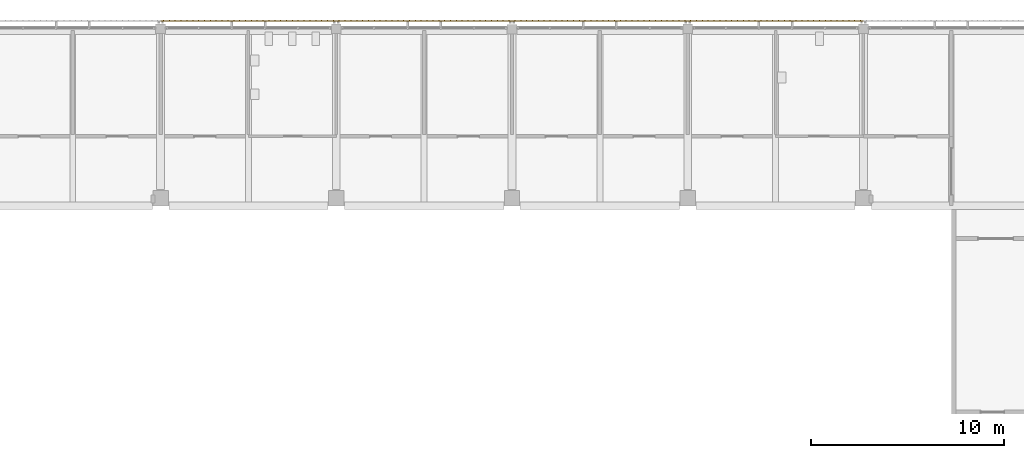
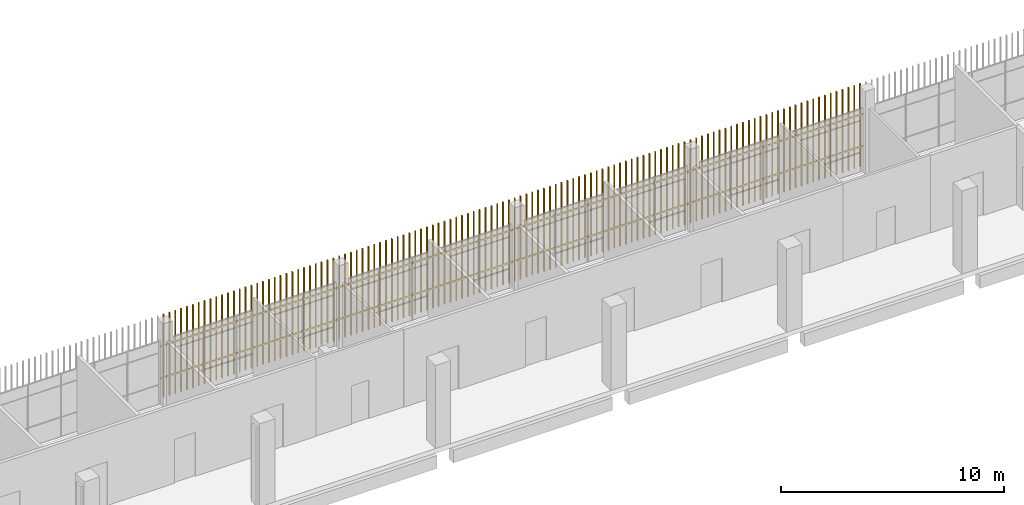
# One storey, part 114 of 124: 4 shading devices.
"""IFC4 building model written with IfcOpenShell, lengths in metres."""

from ifc_helpers import new_model, si_unit, direction, frame, origin, origin_2d, place, context, subcontext, project, spatial, rectangle, extrude, material, type_object, element, save


model = new_model("IFC4")

# Units and contexts
model_context = context("Model", 3, precision=1e-05, world=origin(), true_north=direction((0.0, 1.0)))
body_context = subcontext(model_context, "Body", "Model", "MODEL_VIEW")
ifc_project = project(units=[si_unit("LENGTHUNIT", "METRE"), si_unit("AREAUNIT", "SQUARE_METRE"), si_unit("VOLUMEUNIT", "CUBIC_METRE"), si_unit("PLANEANGLEUNIT", "RADIAN"), si_unit("MASSUNIT", "GRAM", prefix="KILO")], contexts=[model_context])

# Site, building, storey
site_placement = place(None, origin())
site = spatial("IfcSite", under=ifc_project, at=site_placement, CompositionType="ELEMENT")
building_placement = place(site_placement, origin())
building = spatial("IfcBuilding", under=site, at=building_placement, Name="Shirokan Park Arena", CompositionType="ELEMENT")
storey_placement = place(building_placement, frame((0.0, 0.0, 20.02001953125)))
storey = spatial("IfcBuildingStorey", under=building, at=storey_placement, Name="L04", CompositionType="ELEMENT", Elevation=20.02001953125)

# Shading devices
ifc_material = material(Name="Timber louvre veil (cedar)", Category="wood")
shading_device_type = type_object("IfcShadingDeviceType", Name="Timber louvre veil panel", PredefinedType="JALOUSIE", material=ifc_material)
shading_device_1_placement = place(storey_placement, origin())
element("IfcShadingDevice", 1, at=shading_device_1_placement, inside=storey, type_object=shading_device_type, Name="Timber louvre veil north bay 6 L04", PredefinedType="JALOUSIE", context=body_context, shape_type="SweptSolid", body=[
    extrude(rectangle(XDim=0.050048828125, YDim=0.080078125, at=origin_2d()), frame((99.9482421875, 109.68505859375, 0.0), z_axis=(0.0, 0.0, 1.0), x_axis=(-1.0, 0.0, 0.0)), (0.0, 0.0, 1.0), 4.550048828125),
    extrude(rectangle(XDim=0.050048828125, YDim=0.080078125, at=origin_2d()), frame((99.64501953125, 109.68505859375, 0.0), z_axis=(0.0, 0.0, 1.0), x_axis=(-1.0, 0.0, 0.0)), (0.0, 0.0, 1.0), 4.550048828125),
    extrude(rectangle(XDim=0.050048828125, YDim=0.080078125, at=origin_2d()), frame((99.341552734375, 109.68505859375, 0.0), z_axis=(0.0, 0.0, 1.0), x_axis=(-1.0, 0.0, 0.0)), (0.0, 0.0, 1.0), 4.550048828125),
    extrude(rectangle(XDim=0.050048828125, YDim=0.080078125, at=origin_2d()), frame((99.038330078125, 109.68505859375, 0.0), z_axis=(0.0, 0.0, 1.0), x_axis=(-1.0, 0.0, 0.0)), (0.0, 0.0, 1.0), 4.550048828125),
    extrude(rectangle(XDim=0.050048828125, YDim=0.080078125, at=origin_2d()), frame((98.735107421875, 109.68505859375, 0.0), z_axis=(0.0, 0.0, 1.0), x_axis=(-1.0, 0.0, 0.0)), (0.0, 0.0, 1.0), 4.550048828125),
    extrude(rectangle(XDim=0.050048828125, YDim=0.080078125, at=origin_2d()), frame((98.431640625, 109.68505859375, 0.0), z_axis=(0.0, 0.0, 1.0), x_axis=(-1.0, 0.0, 0.0)), (0.0, 0.0, 1.0), 4.550048828125),
    extrude(rectangle(XDim=0.050048828125, YDim=0.080078125, at=origin_2d()), frame((98.12841796875, 109.68505859375, 0.0), z_axis=(0.0, 0.0, 1.0), x_axis=(-1.0, 0.0, 0.0)), (0.0, 0.0, 1.0), 4.550048828125),
    extrude(rectangle(XDim=0.050048828125, YDim=0.080078125, at=origin_2d()), frame((97.824951171875, 109.68505859375, 0.0), z_axis=(0.0, 0.0, 1.0), x_axis=(-1.0, 0.0, 0.0)), (0.0, 0.0, 1.0), 4.550048828125),
    extrude(rectangle(XDim=0.050048828125, YDim=0.080078125, at=origin_2d()), frame((97.521728515625, 109.68505859375, 0.0), z_axis=(0.0, 0.0, 1.0), x_axis=(-1.0, 0.0, 0.0)), (0.0, 0.0, 1.0), 4.550048828125),
    extrude(rectangle(XDim=0.050048828125, YDim=0.080078125, at=origin_2d()), frame((97.21826171875, 109.68505859375, 0.0), z_axis=(0.0, 0.0, 1.0), x_axis=(-1.0, 0.0, 0.0)), (0.0, 0.0, 1.0), 4.550048828125),
    extrude(rectangle(XDim=0.050048828125, YDim=0.080078125, at=origin_2d()), frame((96.9150390625, 109.68505859375, 0.0), z_axis=(0.0, 0.0, 1.0), x_axis=(-1.0, 0.0, 0.0)), (0.0, 0.0, 1.0), 4.550048828125),
    extrude(rectangle(XDim=0.050048828125, YDim=0.080078125, at=origin_2d()), frame((96.611572265625, 109.68505859375, 0.0), z_axis=(0.0, 0.0, 1.0), x_axis=(-1.0, 0.0, 0.0)), (0.0, 0.0, 1.0), 4.550048828125),
    extrude(rectangle(XDim=0.050048828125, YDim=0.080078125, at=origin_2d()), frame((96.308349609375, 109.68505859375, 0.0), z_axis=(0.0, 0.0, 1.0), x_axis=(-1.0, 0.0, 0.0)), (0.0, 0.0, 1.0), 4.550048828125),
    extrude(rectangle(XDim=0.050048828125, YDim=0.080078125, at=origin_2d()), frame((96.0048828125, 109.68505859375, 0.0), z_axis=(0.0, 0.0, 1.0), x_axis=(-1.0, 0.0, 0.0)), (0.0, 0.0, 1.0), 4.550048828125),
    extrude(rectangle(XDim=0.050048828125, YDim=0.080078125, at=origin_2d()), frame((95.70166015625, 109.68505859375, 0.0), z_axis=(0.0, 0.0, 1.0), x_axis=(-1.0, 0.0, 0.0)), (0.0, 0.0, 1.0), 4.550048828125),
    extrude(rectangle(XDim=0.050048828125, YDim=0.080078125, at=origin_2d()), frame((95.3984375, 109.68505859375, 0.0), z_axis=(0.0, 0.0, 1.0), x_axis=(-1.0, 0.0, 0.0)), (0.0, 0.0, 1.0), 4.550048828125),
    extrude(rectangle(XDim=0.050048828125, YDim=0.080078125, at=origin_2d()), frame((95.094970703125, 109.68505859375, 0.0), z_axis=(0.0, 0.0, 1.0), x_axis=(-1.0, 0.0, 0.0)), (0.0, 0.0, 1.0), 4.550048828125),
    extrude(rectangle(XDim=0.050048828125, YDim=0.080078125, at=origin_2d()), frame((94.791748046875, 109.68505859375, 0.0), z_axis=(0.0, 0.0, 1.0), x_axis=(-1.0, 0.0, 0.0)), (0.0, 0.0, 1.0), 4.550048828125),
    extrude(rectangle(XDim=0.050048828125, YDim=0.080078125, at=origin_2d()), frame((94.48828125, 109.68505859375, 0.0), z_axis=(0.0, 0.0, 1.0), x_axis=(-1.0, 0.0, 0.0)), (0.0, 0.0, 1.0), 4.550048828125),
    extrude(rectangle(XDim=0.050048828125, YDim=0.080078125, at=origin_2d()), frame((94.18505859375, 109.68505859375, 0.0), z_axis=(0.0, 0.0, 1.0), x_axis=(-1.0, 0.0, 0.0)), (0.0, 0.0, 1.0), 4.550048828125),
    extrude(rectangle(XDim=0.050048828125, YDim=0.080078125, at=origin_2d()), frame((93.881591796875, 109.68505859375, 0.0), z_axis=(0.0, 0.0, 1.0), x_axis=(-1.0, 0.0, 0.0)), (0.0, 0.0, 1.0), 4.550048828125),
    extrude(rectangle(XDim=0.050048828125, YDim=0.080078125, at=origin_2d()), frame((93.578369140625, 109.68505859375, 0.0), z_axis=(0.0, 0.0, 1.0), x_axis=(-1.0, 0.0, 0.0)), (0.0, 0.0, 1.0), 4.550048828125),
    extrude(rectangle(XDim=0.050048828125, YDim=0.080078125, at=origin_2d()), frame((93.27490234375, 109.68505859375, 0.0), z_axis=(0.0, 0.0, 1.0), x_axis=(-1.0, 0.0, 0.0)), (0.0, 0.0, 1.0), 4.550048828125),
    extrude(rectangle(XDim=0.050048828125, YDim=0.080078125, at=origin_2d()), frame((92.9716796875, 109.68505859375, 0.0), z_axis=(0.0, 0.0, 1.0), x_axis=(-1.0, 0.0, 0.0)), (0.0, 0.0, 1.0), 4.550048828125),
    extrude(rectangle(XDim=0.050048828125, YDim=0.080078125, at=origin_2d()), frame((92.668212890625, 109.68505859375, 0.0), z_axis=(0.0, 0.0, 1.0), x_axis=(-1.0, 0.0, 0.0)), (0.0, 0.0, 1.0), 4.550048828125),
    extrude(rectangle(XDim=0.050048828125, YDim=0.080078125, at=origin_2d()), frame((92.364990234375, 109.68505859375, 0.0), z_axis=(0.0, 0.0, 1.0), x_axis=(-1.0, 0.0, 0.0)), (0.0, 0.0, 1.0), 4.550048828125),
    extrude(rectangle(XDim=0.050048828125, YDim=0.080078125, at=origin_2d()), frame((92.061767578125, 109.68505859375, 0.0), z_axis=(0.0, 0.0, 1.0), x_axis=(-1.0, 0.0, 0.0)), (0.0, 0.0, 1.0), 4.550048828125),
    extrude(rectangle(XDim=0.050048828125, YDim=0.080078125, at=origin_2d()), frame((91.75830078125, 109.68505859375, 0.0), z_axis=(0.0, 0.0, 1.0), x_axis=(-1.0, 0.0, 0.0)), (0.0, 0.0, 1.0), 4.550048828125),
    extrude(rectangle(XDim=0.050048828125, YDim=0.080078125, at=origin_2d()), frame((91.455078125, 109.68505859375, 0.0), z_axis=(0.0, 0.0, 1.0), x_axis=(-1.0, 0.0, 0.0)), (0.0, 0.0, 1.0), 4.550048828125),
    extrude(rectangle(XDim=0.050048828125, YDim=0.080078125, at=origin_2d()), frame((91.151611328125, 109.68505859375, 0.0), z_axis=(0.0, 0.0, 1.0), x_axis=(-1.0, 0.0, 0.0)), (0.0, 0.0, 1.0), 4.550048828125),
    extrude(rectangle(XDim=9.10009765625, YDim=0.050048828125, at=origin_2d()), frame((95.550048828125, 109.669921875, 1.06005859375), z_axis=(0.0, 0.0, 1.0), x_axis=(-1.0, 0.0, 0.0)), (0.0, 0.0, 1.0), 0.080078125),
    extrude(rectangle(XDim=9.10009765625, YDim=0.050048828125, at=origin_2d()), frame((95.550048828125, 109.669921875, 2.81005859375), z_axis=(0.0, 0.0, 1.0), x_axis=(-1.0, 0.0, 0.0)), (0.0, 0.0, 1.0), 0.080078125),
])
shading_device_2_placement = place(storey_placement, origin())
element("IfcShadingDevice", 2, at=shading_device_2_placement, inside=storey, type_object=shading_device_type, Name="Timber louvre veil north bay 7 L04", PredefinedType="JALOUSIE", context=body_context, shape_type="SweptSolid", body=[
    extrude(rectangle(XDim=0.050048828125, YDim=0.080078125, at=origin_2d()), frame((90.848388671875, 109.68505859375, 0.0), z_axis=(0.0, 0.0, 1.0), x_axis=(-1.0, 0.0, 0.0)), (0.0, 0.0, 1.0), 4.550048828125),
    extrude(rectangle(XDim=0.050048828125, YDim=0.080078125, at=origin_2d()), frame((90.544921875, 109.68505859375, 0.0), z_axis=(0.0, 0.0, 1.0), x_axis=(-1.0, 0.0, 0.0)), (0.0, 0.0, 1.0), 4.550048828125),
    extrude(rectangle(XDim=0.050048828125, YDim=0.080078125, at=origin_2d()), frame((90.24169921875, 109.68505859375, 0.0), z_axis=(0.0, 0.0, 1.0), x_axis=(-1.0, 0.0, 0.0)), (0.0, 0.0, 1.0), 4.550048828125),
    extrude(rectangle(XDim=0.050048828125, YDim=0.080078125, at=origin_2d()), frame((89.938232421875, 109.68505859375, 0.0), z_axis=(0.0, 0.0, 1.0), x_axis=(-1.0, 0.0, 0.0)), (0.0, 0.0, 1.0), 4.550048828125),
    extrude(rectangle(XDim=0.050048828125, YDim=0.080078125, at=origin_2d()), frame((89.635009765625, 109.68505859375, 0.0), z_axis=(0.0, 0.0, 1.0), x_axis=(-1.0, 0.0, 0.0)), (0.0, 0.0, 1.0), 4.550048828125),
    extrude(rectangle(XDim=0.050048828125, YDim=0.080078125, at=origin_2d()), frame((89.331787109375, 109.68505859375, 0.0), z_axis=(0.0, 0.0, 1.0), x_axis=(-1.0, 0.0, 0.0)), (0.0, 0.0, 1.0), 4.550048828125),
    extrude(rectangle(XDim=0.050048828125, YDim=0.080078125, at=origin_2d()), frame((89.0283203125, 109.68505859375, 0.0), z_axis=(0.0, 0.0, 1.0), x_axis=(-1.0, 0.0, 0.0)), (0.0, 0.0, 1.0), 4.550048828125),
    extrude(rectangle(XDim=0.050048828125, YDim=0.080078125, at=origin_2d()), frame((88.72509765625, 109.68505859375, 0.0), z_axis=(0.0, 0.0, 1.0), x_axis=(-1.0, 0.0, 0.0)), (0.0, 0.0, 1.0), 4.550048828125),
    extrude(rectangle(XDim=0.050048828125, YDim=0.080078125, at=origin_2d()), frame((88.421630859375, 109.68505859375, 0.0), z_axis=(0.0, 0.0, 1.0), x_axis=(-1.0, 0.0, 0.0)), (0.0, 0.0, 1.0), 4.550048828125),
    extrude(rectangle(XDim=0.050048828125, YDim=0.080078125, at=origin_2d()), frame((88.118408203125, 109.68505859375, 0.0), z_axis=(0.0, 0.0, 1.0), x_axis=(-1.0, 0.0, 0.0)), (0.0, 0.0, 1.0), 4.550048828125),
    extrude(rectangle(XDim=0.050048828125, YDim=0.080078125, at=origin_2d()), frame((87.81494140625, 109.68505859375, 0.0), z_axis=(0.0, 0.0, 1.0), x_axis=(-1.0, 0.0, 0.0)), (0.0, 0.0, 1.0), 4.550048828125),
    extrude(rectangle(XDim=0.050048828125, YDim=0.080078125, at=origin_2d()), frame((87.51171875, 109.68505859375, 0.0), z_axis=(0.0, 0.0, 1.0), x_axis=(-1.0, 0.0, 0.0)), (0.0, 0.0, 1.0), 4.550048828125),
    extrude(rectangle(XDim=0.050048828125, YDim=0.080078125, at=origin_2d()), frame((87.208251953125, 109.68505859375, 0.0), z_axis=(0.0, 0.0, 1.0), x_axis=(-1.0, 0.0, 0.0)), (0.0, 0.0, 1.0), 4.550048828125),
    extrude(rectangle(XDim=0.050048828125, YDim=0.080078125, at=origin_2d()), frame((86.905029296875, 109.68505859375, 0.0), z_axis=(0.0, 0.0, 1.0), x_axis=(-1.0, 0.0, 0.0)), (0.0, 0.0, 1.0), 4.550048828125),
    extrude(rectangle(XDim=0.050048828125, YDim=0.080078125, at=origin_2d()), frame((86.6015625, 109.68505859375, 0.0), z_axis=(0.0, 0.0, 1.0), x_axis=(-1.0, 0.0, 0.0)), (0.0, 0.0, 1.0), 4.550048828125),
    extrude(rectangle(XDim=0.050048828125, YDim=0.080078125, at=origin_2d()), frame((86.29833984375, 109.68505859375, 0.0), z_axis=(0.0, 0.0, 1.0), x_axis=(-1.0, 0.0, 0.0)), (0.0, 0.0, 1.0), 4.550048828125),
    extrude(rectangle(XDim=0.050048828125, YDim=0.080078125, at=origin_2d()), frame((85.9951171875, 109.68505859375, 0.0), z_axis=(0.0, 0.0, 1.0), x_axis=(-1.0, 0.0, 0.0)), (0.0, 0.0, 1.0), 4.550048828125),
    extrude(rectangle(XDim=0.050048828125, YDim=0.080078125, at=origin_2d()), frame((85.691650390625, 109.68505859375, 0.0), z_axis=(0.0, 0.0, 1.0), x_axis=(-1.0, 0.0, 0.0)), (0.0, 0.0, 1.0), 4.550048828125),
    extrude(rectangle(XDim=0.050048828125, YDim=0.080078125, at=origin_2d()), frame((85.388427734375, 109.68505859375, 0.0), z_axis=(0.0, 0.0, 1.0), x_axis=(-1.0, 0.0, 0.0)), (0.0, 0.0, 1.0), 4.550048828125),
    extrude(rectangle(XDim=0.050048828125, YDim=0.080078125, at=origin_2d()), frame((85.0849609375, 109.68505859375, 0.0), z_axis=(0.0, 0.0, 1.0), x_axis=(-1.0, 0.0, 0.0)), (0.0, 0.0, 1.0), 4.550048828125),
    extrude(rectangle(XDim=0.050048828125, YDim=0.080078125, at=origin_2d()), frame((84.78173828125, 109.68505859375, 0.0), z_axis=(0.0, 0.0, 1.0), x_axis=(-1.0, 0.0, 0.0)), (0.0, 0.0, 1.0), 4.550048828125),
    extrude(rectangle(XDim=0.050048828125, YDim=0.080078125, at=origin_2d()), frame((84.478271484375, 109.68505859375, 0.0), z_axis=(0.0, 0.0, 1.0), x_axis=(-1.0, 0.0, 0.0)), (0.0, 0.0, 1.0), 4.550048828125),
    extrude(rectangle(XDim=0.050048828125, YDim=0.080078125, at=origin_2d()), frame((84.175048828125, 109.68505859375, 0.0), z_axis=(0.0, 0.0, 1.0), x_axis=(-1.0, 0.0, 0.0)), (0.0, 0.0, 1.0), 4.550048828125),
    extrude(rectangle(XDim=0.050048828125, YDim=0.080078125, at=origin_2d()), frame((83.87158203125, 109.68505859375, 0.0), z_axis=(0.0, 0.0, 1.0), x_axis=(-1.0, 0.0, 0.0)), (0.0, 0.0, 1.0), 4.550048828125),
    extrude(rectangle(XDim=0.050048828125, YDim=0.080078125, at=origin_2d()), frame((83.568359375, 109.68505859375, 0.0), z_axis=(0.0, 0.0, 1.0), x_axis=(-1.0, 0.0, 0.0)), (0.0, 0.0, 1.0), 4.550048828125),
    extrude(rectangle(XDim=0.050048828125, YDim=0.080078125, at=origin_2d()), frame((83.264892578125, 109.68505859375, 0.0), z_axis=(0.0, 0.0, 1.0), x_axis=(-1.0, 0.0, 0.0)), (0.0, 0.0, 1.0), 4.550048828125),
    extrude(rectangle(XDim=0.050048828125, YDim=0.080078125, at=origin_2d()), frame((82.961669921875, 109.68505859375, 0.0), z_axis=(0.0, 0.0, 1.0), x_axis=(-1.0, 0.0, 0.0)), (0.0, 0.0, 1.0), 4.550048828125),
    extrude(rectangle(XDim=0.050048828125, YDim=0.080078125, at=origin_2d()), frame((82.658447265625, 109.68505859375, 0.0), z_axis=(0.0, 0.0, 1.0), x_axis=(-1.0, 0.0, 0.0)), (0.0, 0.0, 1.0), 4.550048828125),
    extrude(rectangle(XDim=0.050048828125, YDim=0.080078125, at=origin_2d()), frame((82.35498046875, 109.68505859375, 0.0), z_axis=(0.0, 0.0, 1.0), x_axis=(-1.0, 0.0, 0.0)), (0.0, 0.0, 1.0), 4.550048828125),
    extrude(rectangle(XDim=0.050048828125, YDim=0.080078125, at=origin_2d()), frame((82.0517578125, 109.68505859375, 0.0), z_axis=(0.0, 0.0, 1.0), x_axis=(-1.0, 0.0, 0.0)), (0.0, 0.0, 1.0), 4.550048828125),
    extrude(rectangle(XDim=9.10009765625, YDim=0.050048828125, at=origin_2d()), frame((86.449951171875, 109.669921875, 1.06005859375), z_axis=(0.0, 0.0, 1.0), x_axis=(-1.0, 0.0, 0.0)), (0.0, 0.0, 1.0), 0.080078125),
    extrude(rectangle(XDim=9.10009765625, YDim=0.050048828125, at=origin_2d()), frame((86.449951171875, 109.669921875, 2.81005859375), z_axis=(0.0, 0.0, 1.0), x_axis=(-1.0, 0.0, 0.0)), (0.0, 0.0, 1.0), 0.080078125),
])
shading_device_3_placement = place(storey_placement, origin())
element("IfcShadingDevice", 3, at=shading_device_3_placement, inside=storey, type_object=shading_device_type, Name="Timber louvre veil north bay 8 L04", PredefinedType="JALOUSIE", context=body_context, shape_type="SweptSolid", body=[
    extrude(rectangle(XDim=0.050048828125, YDim=0.080078125, at=origin_2d()), frame((81.748291015625, 109.68505859375, 0.0), z_axis=(0.0, 0.0, 1.0), x_axis=(-1.0, 0.0, 0.0)), (0.0, 0.0, 1.0), 4.550048828125),
    extrude(rectangle(XDim=0.050048828125, YDim=0.080078125, at=origin_2d()), frame((81.445068359375, 109.68505859375, 0.0), z_axis=(0.0, 0.0, 1.0), x_axis=(-1.0, 0.0, 0.0)), (0.0, 0.0, 1.0), 4.550048828125),
    extrude(rectangle(XDim=0.050048828125, YDim=0.080078125, at=origin_2d()), frame((81.1416015625, 109.68505859375, 0.0), z_axis=(0.0, 0.0, 1.0), x_axis=(-1.0, 0.0, 0.0)), (0.0, 0.0, 1.0), 4.550048828125),
    extrude(rectangle(XDim=0.050048828125, YDim=0.080078125, at=origin_2d()), frame((80.83837890625, 109.68505859375, 0.0), z_axis=(0.0, 0.0, 1.0), x_axis=(-1.0, 0.0, 0.0)), (0.0, 0.0, 1.0), 4.550048828125),
    extrude(rectangle(XDim=0.050048828125, YDim=0.080078125, at=origin_2d()), frame((80.534912109375, 109.68505859375, 0.0), z_axis=(0.0, 0.0, 1.0), x_axis=(-1.0, 0.0, 0.0)), (0.0, 0.0, 1.0), 4.550048828125),
    extrude(rectangle(XDim=0.050048828125, YDim=0.080078125, at=origin_2d()), frame((80.231689453125, 109.68505859375, 0.0), z_axis=(0.0, 0.0, 1.0), x_axis=(-1.0, 0.0, 0.0)), (0.0, 0.0, 1.0), 4.550048828125),
    extrude(rectangle(XDim=0.050048828125, YDim=0.080078125, at=origin_2d()), frame((79.92822265625, 109.68505859375, 0.0), z_axis=(0.0, 0.0, 1.0), x_axis=(-1.0, 0.0, 0.0)), (0.0, 0.0, 1.0), 4.550048828125),
    extrude(rectangle(XDim=0.050048828125, YDim=0.080078125, at=origin_2d()), frame((79.625, 109.68505859375, 0.0), z_axis=(0.0, 0.0, 1.0), x_axis=(-1.0, 0.0, 0.0)), (0.0, 0.0, 1.0), 4.550048828125),
    extrude(rectangle(XDim=0.050048828125, YDim=0.080078125, at=origin_2d()), frame((79.32177734375, 109.68505859375, 0.0), z_axis=(0.0, 0.0, 1.0), x_axis=(-1.0, 0.0, 0.0)), (0.0, 0.0, 1.0), 4.550048828125),
    extrude(rectangle(XDim=0.050048828125, YDim=0.080078125, at=origin_2d()), frame((79.018310546875, 109.68505859375, 0.0), z_axis=(0.0, 0.0, 1.0), x_axis=(-1.0, 0.0, 0.0)), (0.0, 0.0, 1.0), 4.550048828125),
    extrude(rectangle(XDim=0.050048828125, YDim=0.080078125, at=origin_2d()), frame((78.715087890625, 109.68505859375, 0.0), z_axis=(0.0, 0.0, 1.0), x_axis=(-1.0, 0.0, 0.0)), (0.0, 0.0, 1.0), 4.550048828125),
    extrude(rectangle(XDim=0.050048828125, YDim=0.080078125, at=origin_2d()), frame((78.41162109375, 109.68505859375, 0.0), z_axis=(0.0, 0.0, 1.0), x_axis=(-1.0, 0.0, 0.0)), (0.0, 0.0, 1.0), 4.550048828125),
    extrude(rectangle(XDim=0.050048828125, YDim=0.080078125, at=origin_2d()), frame((78.1083984375, 109.68505859375, 0.0), z_axis=(0.0, 0.0, 1.0), x_axis=(-1.0, 0.0, 0.0)), (0.0, 0.0, 1.0), 4.550048828125),
    extrude(rectangle(XDim=0.050048828125, YDim=0.080078125, at=origin_2d()), frame((77.804931640625, 109.68505859375, 0.0), z_axis=(0.0, 0.0, 1.0), x_axis=(-1.0, 0.0, 0.0)), (0.0, 0.0, 1.0), 4.550048828125),
    extrude(rectangle(XDim=0.050048828125, YDim=0.080078125, at=origin_2d()), frame((77.501708984375, 109.68505859375, 0.0), z_axis=(0.0, 0.0, 1.0), x_axis=(-1.0, 0.0, 0.0)), (0.0, 0.0, 1.0), 4.550048828125),
    extrude(rectangle(XDim=0.050048828125, YDim=0.080078125, at=origin_2d()), frame((77.1982421875, 109.68505859375, 0.0), z_axis=(0.0, 0.0, 1.0), x_axis=(-1.0, 0.0, 0.0)), (0.0, 0.0, 1.0), 4.550048828125),
    extrude(rectangle(XDim=0.050048828125, YDim=0.080078125, at=origin_2d()), frame((76.89501953125, 109.68505859375, 0.0), z_axis=(0.0, 0.0, 1.0), x_axis=(-1.0, 0.0, 0.0)), (0.0, 0.0, 1.0), 4.550048828125),
    extrude(rectangle(XDim=0.050048828125, YDim=0.080078125, at=origin_2d()), frame((76.591552734375, 109.68505859375, 0.0), z_axis=(0.0, 0.0, 1.0), x_axis=(-1.0, 0.0, 0.0)), (0.0, 0.0, 1.0), 4.550048828125),
    extrude(rectangle(XDim=0.050048828125, YDim=0.080078125, at=origin_2d()), frame((76.288330078125, 109.68505859375, 0.0), z_axis=(0.0, 0.0, 1.0), x_axis=(-1.0, 0.0, 0.0)), (0.0, 0.0, 1.0), 4.550048828125),
    extrude(rectangle(XDim=0.050048828125, YDim=0.080078125, at=origin_2d()), frame((75.985107421875, 109.68505859375, 0.0), z_axis=(0.0, 0.0, 1.0), x_axis=(-1.0, 0.0, 0.0)), (0.0, 0.0, 1.0), 4.550048828125),
    extrude(rectangle(XDim=0.050048828125, YDim=0.080078125, at=origin_2d()), frame((75.681640625, 109.68505859375, 0.0), z_axis=(0.0, 0.0, 1.0), x_axis=(-1.0, 0.0, 0.0)), (0.0, 0.0, 1.0), 4.550048828125),
    extrude(rectangle(XDim=0.050048828125, YDim=0.080078125, at=origin_2d()), frame((75.37841796875, 109.68505859375, 0.0), z_axis=(0.0, 0.0, 1.0), x_axis=(-1.0, 0.0, 0.0)), (0.0, 0.0, 1.0), 4.550048828125),
    extrude(rectangle(XDim=0.050048828125, YDim=0.080078125, at=origin_2d()), frame((75.074951171875, 109.68505859375, 0.0), z_axis=(0.0, 0.0, 1.0), x_axis=(-1.0, 0.0, 0.0)), (0.0, 0.0, 1.0), 4.550048828125),
    extrude(rectangle(XDim=0.050048828125, YDim=0.080078125, at=origin_2d()), frame((74.771728515625, 109.68505859375, 0.0), z_axis=(0.0, 0.0, 1.0), x_axis=(-1.0, 0.0, 0.0)), (0.0, 0.0, 1.0), 4.550048828125),
    extrude(rectangle(XDim=0.050048828125, YDim=0.080078125, at=origin_2d()), frame((74.46826171875, 109.68505859375, 0.0), z_axis=(0.0, 0.0, 1.0), x_axis=(-1.0, 0.0, 0.0)), (0.0, 0.0, 1.0), 4.550048828125),
    extrude(rectangle(XDim=0.050048828125, YDim=0.080078125, at=origin_2d()), frame((74.1650390625, 109.68505859375, 0.0), z_axis=(0.0, 0.0, 1.0), x_axis=(-1.0, 0.0, 0.0)), (0.0, 0.0, 1.0), 4.550048828125),
    extrude(rectangle(XDim=0.050048828125, YDim=0.080078125, at=origin_2d()), frame((73.861572265625, 109.68505859375, 0.0), z_axis=(0.0, 0.0, 1.0), x_axis=(-1.0, 0.0, 0.0)), (0.0, 0.0, 1.0), 4.550048828125),
    extrude(rectangle(XDim=0.050048828125, YDim=0.080078125, at=origin_2d()), frame((73.558349609375, 109.68505859375, 0.0), z_axis=(0.0, 0.0, 1.0), x_axis=(-1.0, 0.0, 0.0)), (0.0, 0.0, 1.0), 4.550048828125),
    extrude(rectangle(XDim=0.050048828125, YDim=0.080078125, at=origin_2d()), frame((73.2548828125, 109.68505859375, 0.0), z_axis=(0.0, 0.0, 1.0), x_axis=(-1.0, 0.0, 0.0)), (0.0, 0.0, 1.0), 4.550048828125),
    extrude(rectangle(XDim=0.050048828125, YDim=0.080078125, at=origin_2d()), frame((72.95166015625, 109.68505859375, 0.0), z_axis=(0.0, 0.0, 1.0), x_axis=(-1.0, 0.0, 0.0)), (0.0, 0.0, 1.0), 4.550048828125),
    extrude(rectangle(XDim=9.10009765625, YDim=0.050048828125, at=origin_2d()), frame((77.35009765625, 109.669921875, 1.06005859375), z_axis=(0.0, 0.0, 1.0), x_axis=(-1.0, 0.0, 0.0)), (0.0, 0.0, 1.0), 0.080078125),
    extrude(rectangle(XDim=9.10009765625, YDim=0.050048828125, at=origin_2d()), frame((77.35009765625, 109.669921875, 2.81005859375), z_axis=(0.0, 0.0, 1.0), x_axis=(-1.0, 0.0, 0.0)), (0.0, 0.0, 1.0), 0.080078125),
])
shading_device_4_placement = place(storey_placement, origin())
element("IfcShadingDevice", 4, at=shading_device_4_placement, inside=storey, type_object=shading_device_type, Name="Timber louvre veil north bay 9 L04", PredefinedType="JALOUSIE", context=body_context, shape_type="SweptSolid", body=[
    extrude(rectangle(XDim=0.050048828125, YDim=0.080078125, at=origin_2d()), frame((72.6484375, 109.68505859375, 0.0), z_axis=(0.0, 0.0, 1.0), x_axis=(-1.0, 0.0, 0.0)), (0.0, 0.0, 1.0), 4.550048828125),
    extrude(rectangle(XDim=0.050048828125, YDim=0.080078125, at=origin_2d()), frame((72.344970703125, 109.68505859375, 0.0), z_axis=(0.0, 0.0, 1.0), x_axis=(-1.0, 0.0, 0.0)), (0.0, 0.0, 1.0), 4.550048828125),
    extrude(rectangle(XDim=0.050048828125, YDim=0.080078125, at=origin_2d()), frame((72.041748046875, 109.68505859375, 0.0), z_axis=(0.0, 0.0, 1.0), x_axis=(-1.0, 0.0, 0.0)), (0.0, 0.0, 1.0), 4.550048828125),
    extrude(rectangle(XDim=0.050048828125, YDim=0.080078125, at=origin_2d()), frame((71.73828125, 109.68505859375, 0.0), z_axis=(0.0, 0.0, 1.0), x_axis=(-1.0, 0.0, 0.0)), (0.0, 0.0, 1.0), 4.550048828125),
    extrude(rectangle(XDim=0.050048828125, YDim=0.080078125, at=origin_2d()), frame((71.43505859375, 109.68505859375, 0.0), z_axis=(0.0, 0.0, 1.0), x_axis=(-1.0, 0.0, 0.0)), (0.0, 0.0, 1.0), 4.550048828125),
    extrude(rectangle(XDim=0.050048828125, YDim=0.080078125, at=origin_2d()), frame((71.131591796875, 109.68505859375, 0.0), z_axis=(0.0, 0.0, 1.0), x_axis=(-1.0, 0.0, 0.0)), (0.0, 0.0, 1.0), 4.550048828125),
    extrude(rectangle(XDim=0.050048828125, YDim=0.080078125, at=origin_2d()), frame((70.828369140625, 109.68505859375, 0.0), z_axis=(0.0, 0.0, 1.0), x_axis=(-1.0, 0.0, 0.0)), (0.0, 0.0, 1.0), 4.550048828125),
    extrude(rectangle(XDim=0.050048828125, YDim=0.080078125, at=origin_2d()), frame((70.52490234375, 109.68505859375, 0.0), z_axis=(0.0, 0.0, 1.0), x_axis=(-1.0, 0.0, 0.0)), (0.0, 0.0, 1.0), 4.550048828125),
    extrude(rectangle(XDim=0.050048828125, YDim=0.080078125, at=origin_2d()), frame((70.2216796875, 109.68505859375, 0.0), z_axis=(0.0, 0.0, 1.0), x_axis=(-1.0, 0.0, 0.0)), (0.0, 0.0, 1.0), 4.550048828125),
    extrude(rectangle(XDim=0.050048828125, YDim=0.080078125, at=origin_2d()), frame((69.918212890625, 109.68505859375, 0.0), z_axis=(0.0, 0.0, 1.0), x_axis=(-1.0, 0.0, 0.0)), (0.0, 0.0, 1.0), 4.550048828125),
    extrude(rectangle(XDim=0.050048828125, YDim=0.080078125, at=origin_2d()), frame((69.614990234375, 109.68505859375, 0.0), z_axis=(0.0, 0.0, 1.0), x_axis=(-1.0, 0.0, 0.0)), (0.0, 0.0, 1.0), 4.550048828125),
    extrude(rectangle(XDim=0.050048828125, YDim=0.080078125, at=origin_2d()), frame((69.311767578125, 109.68505859375, 0.0), z_axis=(0.0, 0.0, 1.0), x_axis=(-1.0, 0.0, 0.0)), (0.0, 0.0, 1.0), 4.550048828125),
    extrude(rectangle(XDim=0.050048828125, YDim=0.080078125, at=origin_2d()), frame((69.00830078125, 109.68505859375, 0.0), z_axis=(0.0, 0.0, 1.0), x_axis=(-1.0, 0.0, 0.0)), (0.0, 0.0, 1.0), 4.550048828125),
    extrude(rectangle(XDim=0.050048828125, YDim=0.080078125, at=origin_2d()), frame((68.705078125, 109.68505859375, 0.0), z_axis=(0.0, 0.0, 1.0), x_axis=(-1.0, 0.0, 0.0)), (0.0, 0.0, 1.0), 4.550048828125),
    extrude(rectangle(XDim=0.050048828125, YDim=0.080078125, at=origin_2d()), frame((68.401611328125, 109.68505859375, 0.0), z_axis=(0.0, 0.0, 1.0), x_axis=(-1.0, 0.0, 0.0)), (0.0, 0.0, 1.0), 4.550048828125),
    extrude(rectangle(XDim=0.050048828125, YDim=0.080078125, at=origin_2d()), frame((68.098388671875, 109.68505859375, 0.0), z_axis=(0.0, 0.0, 1.0), x_axis=(-1.0, 0.0, 0.0)), (0.0, 0.0, 1.0), 4.550048828125),
    extrude(rectangle(XDim=0.050048828125, YDim=0.080078125, at=origin_2d()), frame((67.794921875, 109.68505859375, 0.0), z_axis=(0.0, 0.0, 1.0), x_axis=(-1.0, 0.0, 0.0)), (0.0, 0.0, 1.0), 4.550048828125),
    extrude(rectangle(XDim=0.050048828125, YDim=0.080078125, at=origin_2d()), frame((67.49169921875, 109.68505859375, 0.0), z_axis=(0.0, 0.0, 1.0), x_axis=(-1.0, 0.0, 0.0)), (0.0, 0.0, 1.0), 4.550048828125),
    extrude(rectangle(XDim=0.050048828125, YDim=0.080078125, at=origin_2d()), frame((67.188232421875, 109.68505859375, 0.0), z_axis=(0.0, 0.0, 1.0), x_axis=(-1.0, 0.0, 0.0)), (0.0, 0.0, 1.0), 4.550048828125),
    extrude(rectangle(XDim=0.050048828125, YDim=0.080078125, at=origin_2d()), frame((66.885009765625, 109.68505859375, 0.0), z_axis=(0.0, 0.0, 1.0), x_axis=(-1.0, 0.0, 0.0)), (0.0, 0.0, 1.0), 4.550048828125),
    extrude(rectangle(XDim=0.050048828125, YDim=0.080078125, at=origin_2d()), frame((66.581787109375, 109.68505859375, 0.0), z_axis=(0.0, 0.0, 1.0), x_axis=(-1.0, 0.0, 0.0)), (0.0, 0.0, 1.0), 4.550048828125),
    extrude(rectangle(XDim=0.050048828125, YDim=0.080078125, at=origin_2d()), frame((66.2783203125, 109.68505859375, 0.0), z_axis=(0.0, 0.0, 1.0), x_axis=(-1.0, 0.0, 0.0)), (0.0, 0.0, 1.0), 4.550048828125),
    extrude(rectangle(XDim=0.050048828125, YDim=0.080078125, at=origin_2d()), frame((65.97509765625, 109.68505859375, 0.0), z_axis=(0.0, 0.0, 1.0), x_axis=(-1.0, 0.0, 0.0)), (0.0, 0.0, 1.0), 4.550048828125),
    extrude(rectangle(XDim=0.050048828125, YDim=0.080078125, at=origin_2d()), frame((65.671630859375, 109.68505859375, 0.0), z_axis=(0.0, 0.0, 1.0), x_axis=(-1.0, 0.0, 0.0)), (0.0, 0.0, 1.0), 4.550048828125),
    extrude(rectangle(XDim=0.050048828125, YDim=0.080078125, at=origin_2d()), frame((65.368408203125, 109.68505859375, 0.0), z_axis=(0.0, 0.0, 1.0), x_axis=(-1.0, 0.0, 0.0)), (0.0, 0.0, 1.0), 4.550048828125),
    extrude(rectangle(XDim=0.050048828125, YDim=0.080078125, at=origin_2d()), frame((65.06494140625, 109.68505859375, 0.0), z_axis=(0.0, 0.0, 1.0), x_axis=(-1.0, 0.0, 0.0)), (0.0, 0.0, 1.0), 4.550048828125),
    extrude(rectangle(XDim=0.050048828125, YDim=0.080078125, at=origin_2d()), frame((64.76171875, 109.68505859375, 0.0), z_axis=(0.0, 0.0, 1.0), x_axis=(-1.0, 0.0, 0.0)), (0.0, 0.0, 1.0), 4.550048828125),
    extrude(rectangle(XDim=0.050048828125, YDim=0.080078125, at=origin_2d()), frame((64.458251953125, 109.68505859375, 0.0), z_axis=(0.0, 0.0, 1.0), x_axis=(-1.0, 0.0, 0.0)), (0.0, 0.0, 1.0), 4.550048828125),
    extrude(rectangle(XDim=0.050048828125, YDim=0.080078125, at=origin_2d()), frame((64.155029296875, 109.68505859375, 0.0), z_axis=(0.0, 0.0, 1.0), x_axis=(-1.0, 0.0, 0.0)), (0.0, 0.0, 1.0), 4.550048828125),
    extrude(rectangle(XDim=0.050048828125, YDim=0.080078125, at=origin_2d()), frame((63.8515625, 109.68505859375, 0.0), z_axis=(0.0, 0.0, 1.0), x_axis=(-1.0, 0.0, 0.0)), (0.0, 0.0, 1.0), 4.550048828125),
    extrude(rectangle(XDim=9.10009765625, YDim=0.050048828125, at=origin_2d()), frame((68.25, 109.669921875, 1.06005859375), z_axis=(0.0, 0.0, 1.0), x_axis=(-1.0, 0.0, 0.0)), (0.0, 0.0, 1.0), 0.080078125),
    extrude(rectangle(XDim=9.10009765625, YDim=0.050048828125, at=origin_2d()), frame((68.25, 109.669921875, 2.81005859375), z_axis=(0.0, 0.0, 1.0), x_axis=(-1.0, 0.0, 0.0)), (0.0, 0.0, 1.0), 0.080078125),
])

save(model, "model.ifc")
